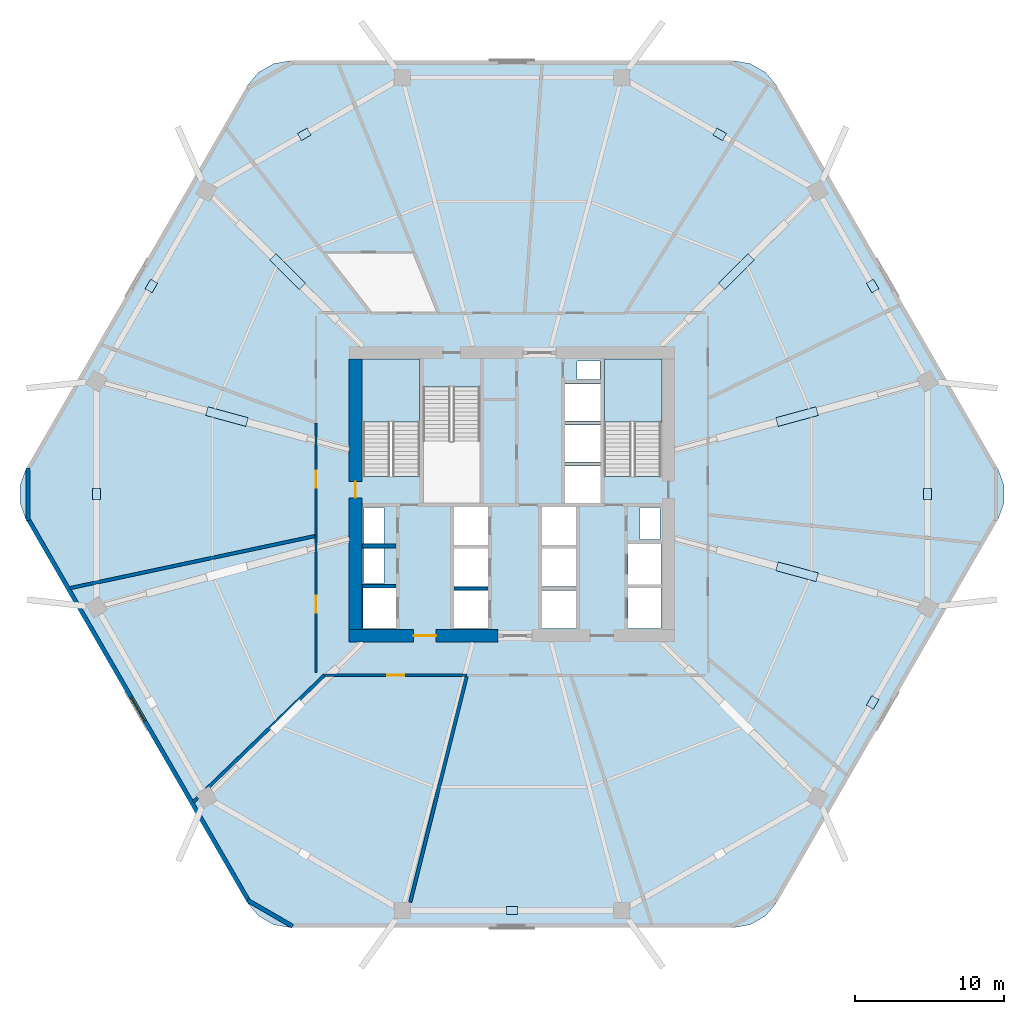
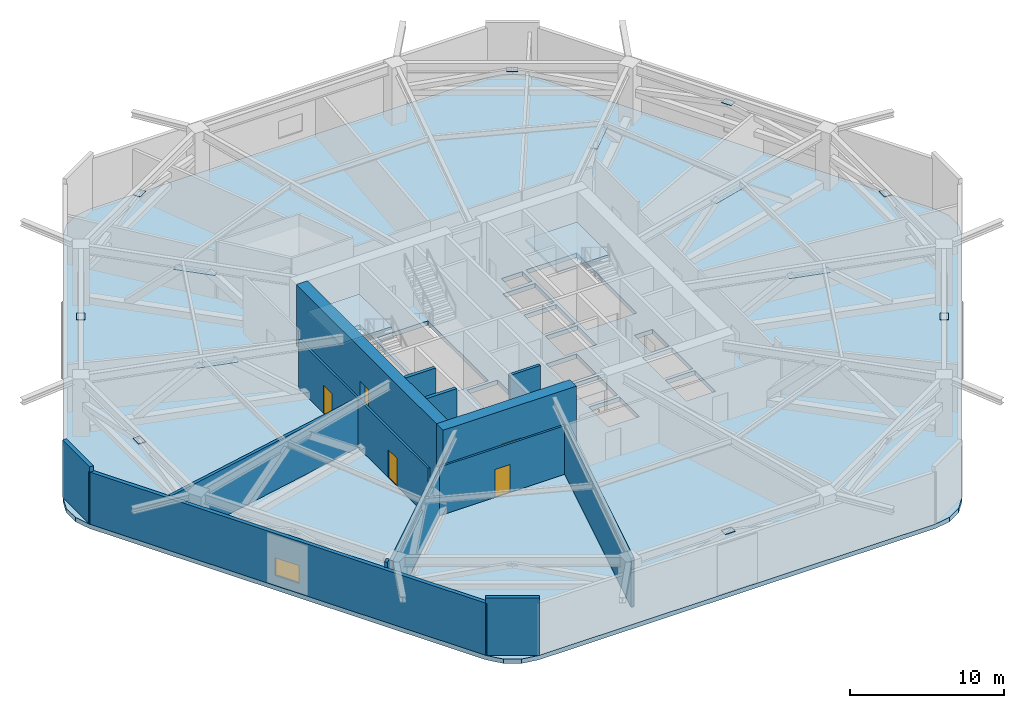
# One storey, part 3 of 10: 15 walls, 13 plates, 5 doors, 3 slabs, 1 window, 6 openings, 2 elements without a shape of their own.
"""IFC4 building model written with IfcOpenShell, lengths in metres."""

from ifc_helpers import new_model, si_unit, direction, frame, frame_2d, origin, origin_2d, place, context, subcontext, project, spatial, polyline, rectangle, outline, extrude, material, layer, layer_set, type_object, element, fill, aggregate, save


model = new_model("IFC4")

# Units and contexts
model_context = context("Model", 3, precision=1e-05, world=origin(), true_north=direction((0.0, 1.0)))
body_context = subcontext(model_context, "Body", "Model", "MODEL_VIEW")
ifc_project = project(units=[si_unit("LENGTHUNIT", "METRE"), si_unit("AREAUNIT", "SQUARE_METRE"), si_unit("VOLUMEUNIT", "CUBIC_METRE"), si_unit("PLANEANGLEUNIT", "RADIAN"), si_unit("MASSUNIT", "GRAM", prefix="KILO")], contexts=[model_context])

# Site, building, storey
site_placement = place(None, origin())
site = spatial("IfcSite", under=ifc_project, at=site_placement, CompositionType="ELEMENT")
building_placement = place(site_placement, origin())
building = spatial("IfcBuilding", under=site, at=building_placement, Name="Zuhravey Tower", CompositionType="ELEMENT")
storey_placement = place(building_placement, frame((0.0, 0.0, 87.60009765625)))
storey = spatial("IfcBuildingStorey", under=building, at=storey_placement, Name="L21", CompositionType="ELEMENT", Elevation=87.60009765625)

# Plates
ifc_material_1 = material(Name="Steel SM460", Category="steel")
ifc_layer_1 = layer(ifc_material_1, 0.031982421875)
ifc_layer_set_1 = layer_set([ifc_layer_1], Name="Steel SM460")
plate_type_1 = type_object("IfcPlateType", Name="Belt Truss Setback Node Plate ND7", PredefinedType="SHEET", material=ifc_layer_set_1)
for number, where, z_axis, x_axis, name in (
    (1, (60.2041015625, 45.97412109375, 3.93408203125), (0.0, 0.0, 1.0), (-0.5, 0.866025403784, 0.0), "L21 Belt Truss Apex Gusset ND7-01"),
    (2, (49.944580078125, 56.152587890625, 3.93408203125), (0.0, 0.0, 1.0), (-0.866025403784, 0.5, 0.0), "L21 Belt Truss Apex Gusset ND7-02"),
    (3, (22.055419921875, 56.152587890625, 3.93408203125), (0.0, 0.0, 1.0), (-0.866025403784, -0.5, 0.0), "L21 Belt Truss Apex Gusset ND7-03"),
    (4, (11.7958984375, 45.97412109375, 3.93408203125), (0.0, 0.0, 1.0), (-0.5, -0.866025403784, 0.0), "L21 Belt Truss Apex Gusset ND7-04"),
    (5, (8.11083984375, 32.0, 3.93408203125), (0.0, 0.0, 1.0), (0.0, -1.0, 0.0), "L21 Belt Truss Apex Gusset ND7-05"),
    (6, (36.0, 4.051513671875, 3.93408203125), (0.0, 0.0, 1.0), (1.0, 0.0, 0.0), "L21 Belt Truss Apex Gusset ND7-08"),
    (7, (60.2041015625, 18.025634765625, 3.93408203125), (0.0, 0.0, 1.0), (0.5, 0.866025403784, 0.0), "L21 Belt Truss Apex Gusset ND7-10"),
    (8, (63.88916015625, 32.0, 3.93408203125), (0.0, 0.0, 1.0), (0.0, 1.0, 0.0), "L21 Belt Truss Apex Gusset ND7-11"),
):
    element("IfcPlate", number, at=place(storey_placement, frame(where, z_axis=z_axis, x_axis=x_axis)), inside=storey, type_object=plate_type_1, Name=name, PredefinedType="SHEET", context=body_context, shape_type="SweptSolid", body=[
        extrude(rectangle(XDim=0.739990234375, YDim=0.5400390625, at=origin_2d()), origin(), (0.0, 0.0, 1.0), 0.031982421875),
    ])
ifc_layer_2 = layer(ifc_material_1, 0.035888671875)
ifc_layer_set_2 = layer_set([ifc_layer_2], Name="Steel SM460")
plate_type_2 = type_object("IfcPlateType", Name="Outrigger Core Node Plate ND6", PredefinedType="SHEET", material=ifc_layer_set_2)
for number, where, z_axis, x_axis, name in (
    (9, (55.134033203125, 37.20849609375, 3.8134765625), (0.0, 0.0, 1.0), (0.964879080263, 0.262694424132, 0.0), "L21 Outrigger Apex Node Plate ND6-01M"),
    (10, (51.06103515625, 46.942138671875, 3.8134765625), (0.0, 0.0, 1.0), (0.709939584863, 0.704262583022, 0.0), "L21 Outrigger Apex Node Plate ND6-02M"),
    (11, (20.93896484375, 46.942138671875, 3.8134765625), (0.0, 0.0, 1.0), (-0.709939584863, 0.704262583022, 0.0), "L21 Outrigger Apex Node Plate ND6-03M"),
    (12, (16.865966796875, 37.20849609375, 3.8134765625), (0.0, 0.0, 1.0), (-0.964879080263, 0.262694424132, 0.0), "L21 Outrigger Apex Node Plate ND6-04M"),
    (13, (55.134033203125, 26.79150390625, 3.8134765625), (0.0, 0.0, 1.0), (0.964879080263, -0.262694424132, 0.0), "L21 Outrigger Apex Node Plate ND6-08M"),
):
    element("IfcPlate", number, at=place(storey_placement, frame(where, z_axis=z_axis, x_axis=x_axis)), inside=storey, type_object=plate_type_2, Name=name, PredefinedType="SHEET", context=body_context, shape_type="SweptSolid", body=[
        extrude(rectangle(XDim=2.800048828125, YDim=0.60009765625, at=origin_2d()), origin(), (0.0, 0.0, 1.0), 0.035888671875),
    ])

# Slab
ifc_material_2 = material(Name="Concrete C50/60", Category="concrete")
ifc_layer_3 = layer(ifc_material_2, 0.35009765625)
ifc_layer_set_3 = layer_set([ifc_layer_3], Name="Concrete C50/60")
slab_type_1 = type_object("IfcSlabType", Name="Refuge & Plant Heavy Slab 350", PredefinedType="FLOOR", material=ifc_layer_set_3)
slab_1_placement = place(storey_placement, frame((0.0, 0.0, -0.35009765625)))
element("IfcSlab", 14, at=slab_1_placement, inside=storey, type_object=slab_type_1, Name="L21 Floor Slab PS35", PredefinedType="FLOOR", context=body_context, shape_type="SweptSolid", body=[
    extrude(outline(polyline([(68.618408203125, 30.300048828125), (69.0224609375, 31.40966796875), (69.0224609375, 32.59033203125), (68.618408203125, 33.699951171875), (53.781494140625, 59.3984375), (53.0224609375, 60.302978515625), (52.0, 60.893310546875), (50.8369140625, 61.098388671875), (21.1630859375, 61.098388671875), (20.0, 60.893310546875), (18.9775390625, 60.302978515625), (18.218505859375, 59.3984375), (3.381591796875, 33.699951171875), (2.9775390625, 32.59033203125), (2.9775390625, 31.40966796875), (3.381591796875, 30.300048828125), (18.218505859375, 4.6015625), (18.9775390625, 3.697021484375), (20.0, 3.106689453125), (21.1630859375, 2.901611328125), (50.8369140625, 2.901611328125), (52.0, 3.106689453125), (53.0224609375, 3.697021484375), (53.781494140625, 4.6015625), (68.618408203125, 30.300048828125)]), holes=[polyline([(29.800048828125, 33.20068359375), (29.800048828125, 41.0), (26.0, 41.0), (26.0, 33.20068359375), (29.800048828125, 33.20068359375)]), polyline([(46.0, 33.20068359375), (46.0, 41.0), (42.199951171875, 41.0), (42.199951171875, 33.20068359375), (46.0, 33.20068359375)]), polyline([(30.050048828125, 39.199462890625), (30.050048828125, 31.39990234375), (33.85009765625, 31.39990234375), (33.85009765625, 39.199462890625), (30.050048828125, 39.199462890625)]), polyline([(32.10009765625, 23.0), (34.39990234375, 23.0), (34.39990234375, 25.550048828125), (32.10009765625, 25.550048828125), (32.10009765625, 23.0)]), polyline([(32.10009765625, 25.800048828125), (34.39990234375, 25.800048828125), (34.39990234375, 28.35009765625), (32.10009765625, 28.35009765625), (32.10009765625, 25.800048828125)]), polyline([(32.10009765625, 28.60009765625), (34.39990234375, 28.60009765625), (34.39990234375, 31.14990234375), (32.10009765625, 31.14990234375), (32.10009765625, 28.60009765625)]), polyline([(38.0, 23.0), (40.300048828125, 23.0), (40.300048828125, 25.550048828125), (38.0, 25.550048828125), (38.0, 23.0)]), polyline([(38.0, 25.800048828125), (40.300048828125, 25.800048828125), (40.300048828125, 28.35009765625), (38.0, 28.35009765625), (38.0, 25.800048828125)]), polyline([(38.0, 28.60009765625), (40.300048828125, 28.60009765625), (40.300048828125, 31.14990234375), (38.0, 31.14990234375), (38.0, 28.60009765625)]), polyline([(39.550048828125, 31.39990234375), (41.949951171875, 31.39990234375), (41.949951171875, 33.89990234375), (39.550048828125, 33.89990234375), (39.550048828125, 31.39990234375)]), polyline([(39.550048828125, 34.14990234375), (41.949951171875, 34.14990234375), (41.949951171875, 36.64990234375), (39.550048828125, 36.64990234375), (39.550048828125, 34.14990234375)]), polyline([(39.550048828125, 36.89990234375), (41.949951171875, 36.89990234375), (41.949951171875, 39.39990234375), (39.550048828125, 39.39990234375), (39.550048828125, 36.89990234375)]), polyline([(26.0, 23.0), (28.199951171875, 23.0), (28.199951171875, 25.699951171875), (26.0, 25.699951171875), (26.0, 23.0)]), polyline([(43.800048828125, 23.0), (46.0, 23.0), (46.0, 25.699951171875), (43.800048828125, 25.699951171875), (43.800048828125, 23.0)]), polyline([(43.800048828125, 25.949951171875), (46.0, 25.949951171875), (46.0, 28.64990234375), (43.800048828125, 28.64990234375), (43.800048828125, 25.949951171875)]), polyline([(26.050048828125, 26.0), (27.39990234375, 26.0), (27.39990234375, 28.35009765625), (26.050048828125, 28.35009765625), (26.050048828125, 26.0)]), polyline([(26.050048828125, 28.699951171875), (27.39990234375, 28.699951171875), (27.39990234375, 31.10009765625), (26.050048828125, 31.10009765625), (26.050048828125, 28.699951171875)]), polyline([(44.60009765625, 28.949951171875), (45.949951171875, 28.949951171875), (45.949951171875, 31.10009765625), (44.60009765625, 31.10009765625), (44.60009765625, 28.949951171875)]), polyline([(40.35009765625, 39.699951171875), (41.89990234375, 39.699951171875), (41.89990234375, 40.949951171875), (40.35009765625, 40.949951171875), (40.35009765625, 39.699951171875)])]), origin(), (0.0, 0.0, 1.0), 0.35009765625),
])

# Stair, slab
ifc_material_3 = material(Name="Concrete C40/50", Category="concrete")
stair_type = type_object("IfcStairType", Name="Refuge Storey Stair Assembly 4800", PredefinedType="HALF_TURN_STAIR", material=ifc_material_3)
stair_1_placement = place(storey_placement, origin())
stair_1 = element("IfcStair", 15, at=stair_1_placement, inside=storey, type_object=stair_type, Name="L21 Core Exit Stair ST1", PredefinedType="HALF_TURN_STAIR")
ifc_layer_4 = layer(ifc_material_3, 0.199951171875)
ifc_layer_set_4 = layer_set([ifc_layer_4], Name="Concrete C40/50")
slab_type_2 = type_object("IfcSlabType", Name="Stair Landing Slab 200", PredefinedType="LANDING", material=ifc_layer_set_4)
slab_2_placement = place(storey_placement, frame((0.0, 0.0, 2.199951171875)))
slab_2 = element("IfcSlab", 16, at=slab_2_placement, type_object=slab_type_2, Name="ST1 landing 1", PredefinedType="LANDING", context=body_context, shape_type="SweptSolid", body=[
    extrude(outline(polyline([(29.800048828125, 36.840087890625), (29.800048828125, 41.072998046875), (25.927001953125, 41.072998046875), (25.927001953125, 36.840087890625), (29.800048828125, 36.840087890625)])), origin(), (0.0, 0.0, 1.0), 0.199951171875),
])
aggregate(stair_1, [slab_2])

stair_2_placement = place(storey_placement, origin())
stair_2 = element("IfcStair", 17, at=stair_2_placement, inside=storey, type_object=stair_type, Name="L21 Core Exit Stair ST2", PredefinedType="HALF_TURN_STAIR")
slab_3_placement = place(storey_placement, frame((0.0, 0.0, 2.199951171875)))
slab_3 = element("IfcSlab", 18, at=slab_3_placement, type_object=slab_type_2, Name="ST2 landing 1", PredefinedType="LANDING", context=body_context, shape_type="SweptSolid", body=[
    extrude(outline(polyline([(46.072998046875, 36.840087890625), (46.072998046875, 41.072998046875), (42.199951171875, 41.072998046875), (42.199951171875, 36.840087890625), (46.072998046875, 36.840087890625)])), origin(), (0.0, 0.0, 1.0), 0.199951171875),
])
aggregate(stair_2, [slab_3])

# Wall, opening, door
ifc_material_4 = material(Name="Concrete C60/75", Category="concrete")
ifc_layer_5 = layer(ifc_material_4, 0.85009765625)
ifc_layer_set_5 = layer_set([ifc_layer_5], Name="Concrete C60/75")
wall_type_1 = type_object("IfcWallType", Name="Core Shear Wall 850", PredefinedType="SHEAR", material=ifc_layer_set_5)
wall_1_placement = place(storey_placement, frame((25.074951171875, 22.5, 0.0), z_axis=(0.0, 0.0, 1.0), x_axis=(1.0, 0.0, 0.0)))
wall_1 = element("IfcWall", 19, at=wall_1_placement, inside=storey, type_object=wall_type_1, Name="L21 South-West Core Shear Wall CW85", PredefinedType="SHEAR", context=body_context, shape_type="SweptSolid", body=[
    extrude(rectangle(XDim=9.97509765625, YDim=0.85009765625, at=frame_2d((4.987548828125, 0.0))), origin(), (0.0, 0.0, 1.0), 4.7998046875),
])
opening_1_placement = place(wall_1_placement, frame((4.324951171875, 0.0, 0.0)))
opening_1 = element("IfcOpeningElement", 20, at=opening_1_placement, cuts=wall_1, Name="Opening FFD1", PredefinedType="OPENING", context=body_context, shape_type="SweptSolid", body=[
    extrude(rectangle(XDim=1.5, YDim=2.14990234375, at=frame_2d((0.75, 1.074951171875))), frame((0.0, 0.43701171875, 0.0), z_axis=(0.0, -1.0, 0.0), x_axis=(1.0, 0.0, 0.0)), (0.0, 0.0, 1.0), 0.8740234375),
])
ifc_material_5 = material(Name="Galvanised fire-rated steel leaf", Category="steel")
door_type_1 = type_object("IfcDoorType", Name="Firefighting Lobby Double Door 1500x2150", OperationType="DOUBLE_DOOR_SINGLE_SWING", PredefinedType="DOOR", material=ifc_material_5)
door_1_placement = place(opening_1_placement, origin())
door_1 = element("IfcDoor", 21, at=door_1_placement, inside=storey, type_object=door_type_1, Name="L21 Firefighting Lobby West Door", OperationType="DOUBLE_DOOR_SINGLE_SWING", OverallHeight=2.14990234375, OverallWidth=1.5, PredefinedType="DOOR", context=body_context, shape_type="SweptSolid", body=[
    extrude(rectangle(XDim=1.5, YDim=2.14990234375, at=frame_2d((0.75, 1.074951171875))), frame((0.0, 0.02490234375, 0.0), z_axis=(0.0, -1.0, 0.0), x_axis=(1.0, 0.0, 0.0)), (0.0, 0.0, 1.0), 0.050048828125),
])
fill(opening_1, door_1)

wall_2_placement = place(storey_placement, frame((25.5, 22.925048828125, 0.0), z_axis=(0.0, 0.0, 1.0), x_axis=(0.0, 1.0, 0.0)))
wall_2 = element("IfcWall", 22, at=wall_2_placement, inside=storey, type_object=wall_type_1, Name="L21 West Core Shear Wall CW85", PredefinedType="SHEAR", context=body_context, shape_type="SweptSolid", body=[
    extrude(rectangle(XDim=18.14990234375, YDim=0.85009765625, at=frame_2d((9.074951171875, 0.0))), origin(), (0.0, 0.0, 1.0), 4.7998046875),
])
opening_2_placement = place(wall_2_placement, frame((8.824951171875, 0.0, 0.0)))
opening_2 = element("IfcOpeningElement", 23, at=opening_2_placement, cuts=wall_2, Name="Opening STD1", PredefinedType="OPENING", context=body_context, shape_type="SweptSolid", body=[
    extrude(rectangle(XDim=1.10009765625, YDim=2.14990234375, at=frame_2d((0.550048828125, 1.074951171875))), frame((0.0, 0.43701171875, 0.0), z_axis=(0.0, -1.0, 0.0), x_axis=(1.0, 0.0, 0.0)), (0.0, 0.0, 1.0), 0.8740234375),
])
door_type_2 = type_object("IfcDoorType", Name="Protected Stair Fire Door 1100x2150", OperationType="NOTDEFINED", PredefinedType="USERDEFINED", material=ifc_material_5)
door_2_placement = place(opening_2_placement, frame((1.10009765625, 0.0, 0.0), z_axis=(0.0, 0.0, 1.0), x_axis=(-1.0, 0.0, 0.0)))
door_2 = element("IfcDoor", 24, at=door_2_placement, inside=storey, type_object=door_type_2, Name="L21 Stair ST1 Door", ObjectType="EXITDOOR", OperationType="SINGLE_SWING_LEFT", OverallHeight=2.14990234375, OverallWidth=1.10009765625, PredefinedType="USERDEFINED", context=body_context, shape_type="SweptSolid", body=[
    extrude(rectangle(XDim=1.10009765625, YDim=2.14990234375, at=frame_2d((0.550048828125, 1.074951171875))), frame((0.0, 0.02490234375, 0.0), z_axis=(0.0, -1.0, 0.0), x_axis=(1.0, 0.0, 0.0)), (0.0, 0.0, 1.0), 0.050048828125),
])
fill(opening_2, door_2)

ifc_material_6 = material(Name="Gypsum fire-rated stud partition")
ifc_layer_6 = layer(ifc_material_6, 0.159912109375)
ifc_layer_set_6 = layer_set([ifc_layer_6], Name="Gypsum fire-rated stud partition")
wall_type_2 = type_object("IfcWallType", Name="Corridor Fire Partition 160", PredefinedType="PARTITIONING", material=ifc_layer_set_6)
wall_3_placement = place(storey_placement, frame((22.844970703125, 36.7880859375, 0.0), z_axis=(0.0, 0.0, 1.0), x_axis=(0.0, -1.0, 0.0)))
wall_3 = element("IfcWall", 25, at=wall_3_placement, inside=storey, type_object=wall_type_2, Name="L21 IW16 Partition 024", PredefinedType="PARTITIONING", context=body_context, shape_type="SweptSolid", body=[
    extrude(rectangle(XDim=7.584228515625, YDim=0.159912109375, at=frame_2d((3.7919921875, 0.0))), origin(), (0.0, 0.0, 1.0), 3.849853515625),
])
opening_3_placement = place(wall_3_placement, frame((3.217041015625, 0.0, 0.0)))
opening_3 = element("IfcOpeningElement", 26, at=opening_3_placement, cuts=wall_3, Name="Opening CLD1", PredefinedType="OPENING", context=body_context, shape_type="SweptSolid", body=[
    extrude(rectangle(XDim=1.14990234375, YDim=2.199951171875, at=frame_2d((0.574951171875, 1.10009765625))), frame((0.0, 0.092041015625, 0.0), z_axis=(0.0, -1.0, 0.0), x_axis=(1.0, 0.0, 0.0)), (0.0, 0.0, 1.0), 0.183837890625),
])
ifc_material_7 = material(Name="Acoustic timber leaf with vision lite", Category="wood")
door_type_3 = type_object("IfcDoorType", Name="Classroom Acoustic Door 1150x2200", OperationType="NOTDEFINED", PredefinedType="DOOR", material=ifc_material_7)
door_3_placement = place(opening_3_placement, frame((1.14990234375, 0.0, 0.0), z_axis=(0.0, 0.0, 1.0), x_axis=(-1.0, 0.0, 0.0)))
door_3 = element("IfcDoor", 27, at=door_3_placement, inside=storey, type_object=door_type_3, Name="L21 Door 024.1", OperationType="SINGLE_SWING_RIGHT", OverallHeight=2.199951171875, OverallWidth=1.14990234375, PredefinedType="DOOR", context=body_context, shape_type="SweptSolid", body=[
    extrude(rectangle(XDim=1.14990234375, YDim=2.199951171875, at=frame_2d((0.574951171875, 1.10009765625))), frame((0.0, 0.02490234375, 0.0), z_axis=(0.0, -1.0, 0.0), x_axis=(1.0, 0.0, 0.0)), (0.0, 0.0, 1.0), 0.050048828125),
])
fill(opening_3, door_3)

wall_4_placement = place(storey_placement, frame((22.844970703125, 29.203857421875, 0.0), z_axis=(0.0, 0.0, 1.0), x_axis=(0.0, -1.0, 0.0)))
wall_4 = element("IfcWall", 28, at=wall_4_placement, inside=storey, type_object=wall_type_2, Name="L21 IW16 Partition 025", PredefinedType="PARTITIONING", context=body_context, shape_type="SweptSolid", body=[
    extrude(rectangle(XDim=9.178955078125, YDim=0.159912109375, at=frame_2d((4.58935546875, 0.0))), origin(), (0.0, 0.0, 1.0), 3.849853515625),
])
opening_4_placement = place(wall_4_placement, frame((4.014404296875, 0.0, 0.0)))
opening_4 = element("IfcOpeningElement", 29, at=opening_4_placement, cuts=wall_4, Name="Opening CLD1", PredefinedType="OPENING", context=body_context, shape_type="SweptSolid", body=[
    extrude(rectangle(XDim=1.14990234375, YDim=2.199951171875, at=frame_2d((0.574951171875, 1.10009765625))), frame((0.0, 0.092041015625, 0.0), z_axis=(0.0, -1.0, 0.0), x_axis=(1.0, 0.0, 0.0)), (0.0, 0.0, 1.0), 0.183837890625),
])
door_4_placement = place(opening_4_placement, frame((1.14990234375, 0.0, 0.0), z_axis=(0.0, 0.0, 1.0), x_axis=(-1.0, 0.0, 0.0)))
door_4 = element("IfcDoor", 30, at=door_4_placement, inside=storey, type_object=door_type_3, Name="L21 Door 025.1", OperationType="SINGLE_SWING_LEFT", OverallHeight=2.199951171875, OverallWidth=1.14990234375, PredefinedType="DOOR", context=body_context, shape_type="SweptSolid", body=[
    extrude(rectangle(XDim=1.14990234375, YDim=2.199951171875, at=frame_2d((0.574951171875, 1.10009765625))), frame((0.0, 0.02490234375, 0.0), z_axis=(0.0, -1.0, 0.0), x_axis=(1.0, 0.0, 0.0)), (0.0, 0.0, 1.0), 0.050048828125),
])
fill(opening_4, door_4)

wall_5_placement = place(storey_placement, frame((23.4130859375, 19.844970703125, 0.0), z_axis=(0.0, 0.0, 1.0), x_axis=(1.0, 0.0, 0.0)))
wall_5 = element("IfcWall", 31, at=wall_5_placement, inside=storey, type_object=wall_type_2, Name="L21 IW16 Partition 026", PredefinedType="PARTITIONING", context=body_context, shape_type="SweptSolid", body=[
    extrude(rectangle(XDim=9.556396484375, YDim=0.159912109375, at=frame_2d((4.7783203125, 0.0))), origin(), (0.0, 0.0, 1.0), 3.849853515625),
])
opening_5_placement = place(wall_5_placement, frame((4.203125, 0.0, 0.0)))
opening_5 = element("IfcOpeningElement", 32, at=opening_5_placement, cuts=wall_5, Name="Opening CLD1", PredefinedType="OPENING", context=body_context, shape_type="SweptSolid", body=[
    extrude(rectangle(XDim=1.14990234375, YDim=2.199951171875, at=frame_2d((0.574951171875, 1.10009765625))), frame((0.0, 0.092041015625, 0.0), z_axis=(0.0, -1.0, 0.0), x_axis=(1.0, 0.0, 0.0)), (0.0, 0.0, 1.0), 0.183837890625),
])
door_5_placement = place(opening_5_placement, frame((1.14990234375, 0.0, 0.0), z_axis=(0.0, 0.0, 1.0), x_axis=(-1.0, 0.0, 0.0)))
door_5 = element("IfcDoor", 33, at=door_5_placement, inside=storey, type_object=door_type_3, Name="L21 Door 026.1", OperationType="SINGLE_SWING_RIGHT", OverallHeight=2.199951171875, OverallWidth=1.14990234375, PredefinedType="DOOR", context=body_context, shape_type="SweptSolid", body=[
    extrude(rectangle(XDim=1.14990234375, YDim=2.199951171875, at=frame_2d((0.574951171875, 1.10009765625))), frame((0.0, 0.02490234375, 0.0), z_axis=(0.0, -1.0, 0.0), x_axis=(1.0, 0.0, 0.0)), (0.0, 0.0, 1.0), 0.050048828125),
])
fill(opening_5, door_5)

# Wall
ifc_material_8 = material(Name="Precast concrete C40/50", Category="concrete")
ifc_layer_7 = layer(ifc_material_8, 0.280029296875)
ifc_layer_set_7 = layer_set([ifc_layer_7], Name="Precast concrete C40/50")
wall_type_3 = type_object("IfcWallType", Name="Crown Architectural Wall 280", PredefinedType="SOLIDWALL", material=ifc_layer_set_7)
wall_6_placement = place(storey_placement, frame((21.28271484375, 2.993896484375, 0.0), z_axis=(0.0, 0.0, 1.0), x_axis=(-0.866007452331, 0.500031091541, 0.0)))
element("IfcWall", 34, at=wall_6_placement, inside=storey, type_object=wall_type_3, Name="L21 Rounded Corner Closure Wall EW28-04", PredefinedType="SOLIDWALL", context=body_context, shape_type="SweptSolid", body=[
    extrude(rectangle(XDim=3.514892578125, YDim=0.280029296875, at=frame_2d((1.75732421875, 0.0))), origin(), (0.0, 0.0, 1.0), 4.5498046875),
])

# Wall, opening, window
wall_7_placement = place(storey_placement, frame((18.368408203125, 4.62158203125, 0.0), z_axis=(0.0, 0.0, 1.0), x_axis=(-0.499990147121, 0.866031092272, 0.0)))
wall_7 = element("IfcWall", 35, at=wall_7_placement, inside=storey, type_object=wall_type_3, Name="L21 Face 4 Plant Enclosure Wall EW28", PredefinedType="SOLIDWALL", context=body_context, shape_type="SweptSolid", body=[
    extrude(rectangle(XDim=29.7890625, YDim=0.280029296875, at=frame_2d((14.89453125, 0.0))), origin(), (0.0, 0.0, 1.0), 4.121826171875),
])
opening_6_placement = place(wall_7_placement, frame((14.049560546875, 0.0, 0.800048828125)))
opening_6 = element("IfcOpeningElement", 36, at=opening_6_placement, cuts=wall_7, Name="Opening WN2", PredefinedType="OPENING", context=body_context, shape_type="SweptSolid", body=[
    extrude(rectangle(XDim=1.800048828125, YDim=1.39990234375, at=frame_2d((0.89990234375, 0.699951171875))), frame((0.0, 0.152099609375, 0.0), z_axis=(0.0, -1.0, 0.0), x_axis=(1.0, 0.0, 0.0)), (0.0, 0.0, 1.0), 0.303955078125),
])
ifc_material_9 = material(Name="Anodised aluminium acoustic louvre frame", Category="aluminium")
window_type = type_object("IfcWindowType", Name="Crown Plant Louvre Window 1800x1400", PartitioningType="SINGLE_PANEL", PredefinedType="WINDOW", material=ifc_material_9)
window_placement = place(opening_6_placement, origin())
window = element("IfcWindow", 37, at=window_placement, inside=storey, type_object=window_type, Name="L21 Face 4 Plant Louvre Window WN2", OverallHeight=1.39990234375, OverallWidth=1.800048828125, PartitioningType="SINGLE_PANEL", PredefinedType="WINDOW", context=body_context, shape_type="SweptSolid", body=[
    extrude(rectangle(XDim=1.800048828125, YDim=1.39990234375, at=frame_2d((0.89990234375, 0.699951171875))), frame((0.0, 0.030029296875, 0.0), z_axis=(0.0, -1.0, 0.0), x_axis=(1.0, 0.0, 0.0)), (0.0, 0.0, 1.0), 0.06005859375),
])
fill(opening_6, window)

# Walls
wall_8_placement = place(storey_placement, frame((3.521484375, 30.242431640625, 0.0), z_axis=(0.0, 0.0, 1.0), x_axis=(0.0, 1.0, 0.0)))
element("IfcWall", 38, at=wall_8_placement, inside=storey, type_object=wall_type_3, Name="L21 Rounded Corner Closure Wall EW28-06", PredefinedType="SOLIDWALL", context=body_context, shape_type="SweptSolid", body=[
    extrude(rectangle(XDim=3.51513671875, YDim=0.280029296875, at=frame_2d((1.757568359375, 0.0))), origin(), (0.0, 0.0, 1.0), 4.5498046875),
])
ifc_layer_8 = layer(ifc_material_2, 0.25)
ifc_layer_set_8 = layer_set([ifc_layer_8], Name="Concrete C50/60")
wall_type_4 = type_object("IfcWallType", Name="Firefighting Shaft & Stair Wall 250", PredefinedType="SOLIDWALL", material=ifc_layer_set_8)
for number, where, z_axis, x_axis, name in (
    (39, (25.949951171875, 25.824951171875, 0.0), (0.0, 0.0, 1.0), (1.0, 0.0, 0.0), "L21 FW25 Shaft Wall 009"),
    (40, (25.949951171875, 28.52490234375, 0.0), (0.0, 0.0, 1.0), (1.0, 0.0, 0.0), "L21 FW25 Shaft Wall 010"),
):
    element("IfcWall", number, at=place(storey_placement, frame(where, z_axis=z_axis, x_axis=x_axis)), inside=storey, type_object=wall_type_4, Name=name, PredefinedType="SOLIDWALL", context=body_context, shape_type="SweptSolid", body=[
        extrude(rectangle(XDim=2.25, YDim=0.25, at=frame_2d((1.125, 0.0))), origin(), (0.0, 0.0, 1.0), 4.7998046875),
    ])
ifc_material_10 = material(Name="Gypsum acoustic stud assembly")
ifc_layer_9 = layer(ifc_material_10, 0.219970703125)
ifc_layer_set_9 = layer_set([ifc_layer_9], Name="Gypsum acoustic stud assembly")
wall_type_5 = type_object("IfcWallType", Name="School Acoustic Compartment Wall 220", PredefinedType="PARTITIONING", material=ifc_layer_set_9)
wall_9_placement = place(storey_placement, frame((32.10791015625, 25.675048828125, 0.0), z_axis=(0.0, 0.0, 1.0), x_axis=(1.0, 0.0, 0.0)))
element("IfcWall", 41, at=wall_9_placement, inside=storey, type_object=wall_type_5, Name="L21 IW22 Partition 036", PredefinedType="PARTITIONING", context=body_context, shape_type="SweptSolid", body=[
    extrude(rectangle(XDim=2.2841796875, YDim=0.219970703125, at=frame_2d((1.14208984375, 0.0))), origin(), (0.0, 0.0, 1.0), 4.5498046875),
])
wall_10_placement = place(storey_placement, frame((22.757080078125, 29.18505859375, 0.0), z_axis=(0.0, 0.0, 1.0), x_axis=(-0.978147839635, -0.207910566871, 0.0)))
element("IfcWall", 42, at=wall_10_placement, inside=storey, type_object=wall_type_5, Name="L21 IW22 Partition 047", PredefinedType="PARTITIONING", context=body_context, shape_type="SweptSolid", body=[
    extrude(rectangle(XDim=16.794189453125, YDim=0.219970703125, at=frame_2d((8.39697265625, 0.0))), origin(), (0.0, 0.0, 1.0), 3.7998046875),
])
wall_11_placement = place(storey_placement, frame((23.4130859375, 19.844970703125, 0.0), z_axis=(0.0, 0.0, 1.0), x_axis=(-0.719343257378, -0.694654790573, 0.0)))
element("IfcWall", 43, at=wall_11_placement, inside=storey, type_object=wall_type_5, Name="L21 IW22 Partition 048", PredefinedType="PARTITIONING", context=body_context, shape_type="SweptSolid", body=[
    extrude(rectangle(XDim=10.986572265625, YDim=0.219970703125, at=frame_2d((5.4931640625, 0.0))), origin(), (0.0, 0.0, 1.0), 3.849853515625),
])
wall_12_placement = place(storey_placement, frame((14.910888671875, 11.634521484375, 0.0), z_axis=(0.0, 0.0, 1.0), x_axis=(-0.719371004605, -0.694626056043, 0.0)))
element("IfcWall", 44, at=wall_12_placement, inside=storey, type_object=wall_type_5, Name="L21 IW22 Partition 049", PredefinedType="PARTITIONING", context=body_context, shape_type="SweptSolid", body=[
    extrude(rectangle(XDim=0.414306640625, YDim=0.219970703125, at=frame_2d((0.20703125, 0.0))), origin(), (0.0, 0.0, 1.0), 4.5498046875),
])
wall_13_placement = place(storey_placement, frame((32.947509765625, 19.757080078125, 0.0), z_axis=(0.0, 0.0, 1.0), x_axis=(-0.241920576265, -0.970296055222, 0.0)))
element("IfcWall", 45, at=wall_13_placement, inside=storey, type_object=wall_type_5, Name="L21 IW22 Partition 050", PredefinedType="PARTITIONING", context=body_context, shape_type="SweptSolid", body=[
    extrude(rectangle(XDim=15.598876953125, YDim=0.219970703125, at=frame_2d((7.79931640625, 0.0))), origin(), (0.0, 0.0, 1.0), 3.849853515625),
])

save(model, "model.ifc")
